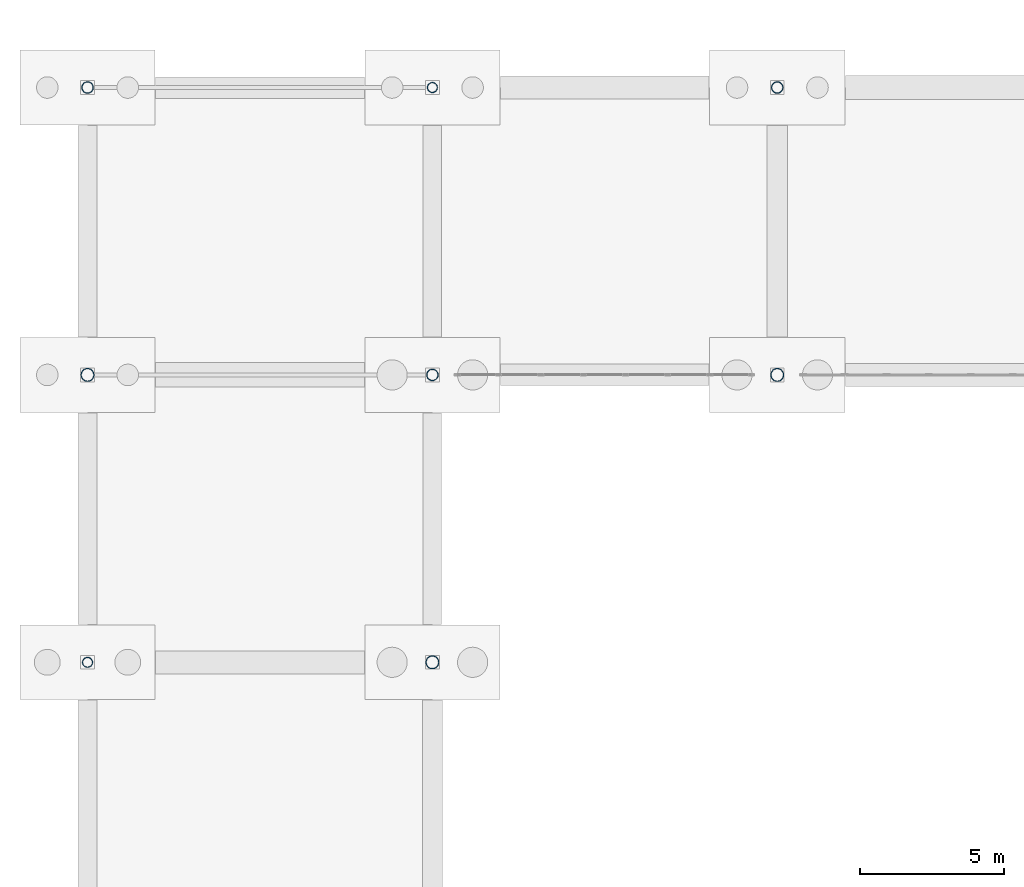
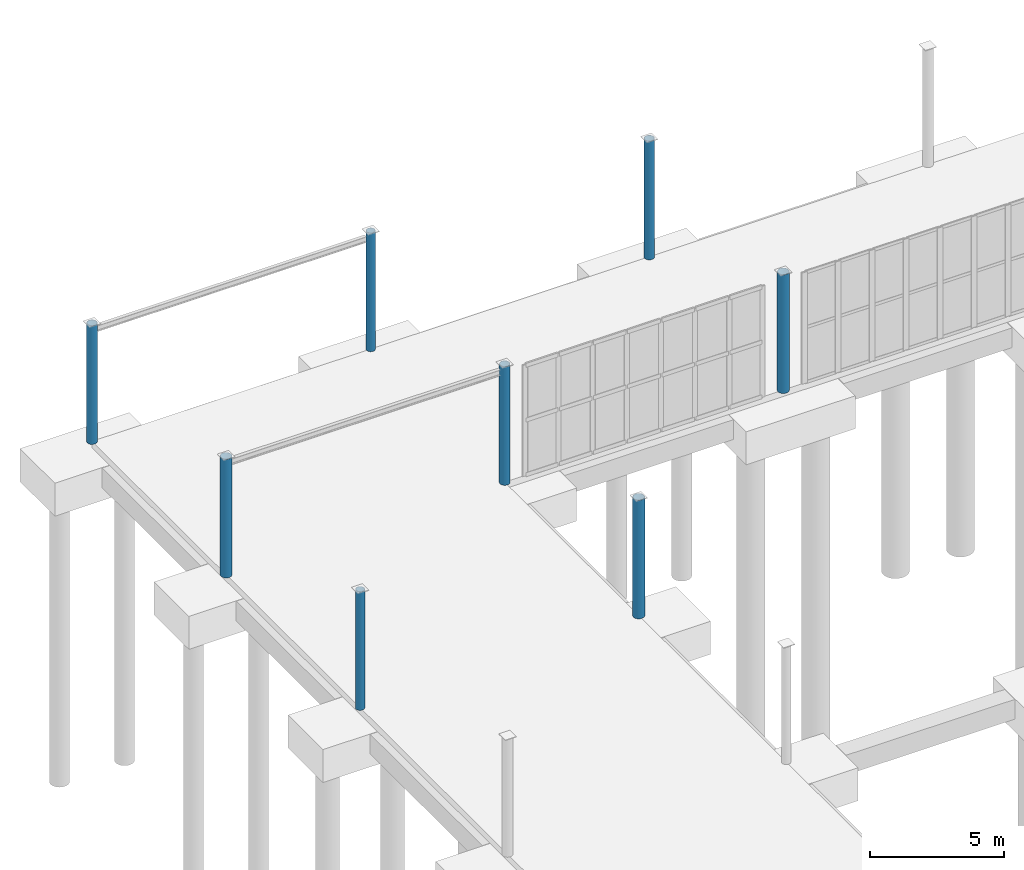
# One storey, part 18 of 70: 8 columns.
"""IFC4 building model written with IfcOpenShell, lengths in metres."""

from ifc_helpers import new_model, si_unit, direction, frame, origin, origin_2d, place, context, subcontext, project, spatial, hollow_circle, extrude, material, material_profile, profile_set, type_object, element, save


model = new_model("IFC4")

# Units and contexts
model_context = context("Model", 3, precision=1e-05, world=origin(), true_north=direction((0.0, 1.0)))
body_context = subcontext(model_context, "Body", "Model", "MODEL_VIEW")
ifc_project = project(units=[si_unit("LENGTHUNIT", "METRE"), si_unit("AREAUNIT", "SQUARE_METRE"), si_unit("VOLUMEUNIT", "CUBIC_METRE"), si_unit("PLANEANGLEUNIT", "RADIAN"), si_unit("MASSUNIT", "GRAM", prefix="KILO")], contexts=[model_context])

# Site, building, storey
site_placement = place(None, origin())
site = spatial("IfcSite", under=ifc_project, at=site_placement, CompositionType="ELEMENT")
building_placement = place(site_placement, origin())
building = spatial("IfcBuilding", under=site, at=building_placement, Name="Brinegate Civic Arena", CompositionType="ELEMENT")
storey_placement = place(building_placement, origin())
storey = spatial("IfcBuildingStorey", under=building, at=storey_placement, Name="L00", CompositionType="ELEMENT", Elevation=0.0)

# Columns
ifc_material = material(Name="Steel S355", Category="steel")
ifc_material_profile_1 = material_profile(ifc_material, hollow_circle(Radius=0.228515625, WallThickness=0.01611328125, at=origin_2d()), Name="CHS457X16")
ifc_profile_set_1 = profile_set([ifc_material_profile_1], Name="Steel S355")
column_type_1 = type_object("IfcColumnType", Name="COL-CP01-CHS457", PredefinedType="PILASTER", material=ifc_profile_set_1)
for number, where, z_axis, x_axis, name in (
    (1, (0.0, 114.0, 0.0), (0.0, 0.0, 1.0), (1.0, 0.0, 0.0), "Column COL-L00-1-M"),
    (2, (12.0, 104.0, 0.0), (0.0, 0.0, 1.0), (1.0, 0.0, 0.0), "Column COL-L00-2-L"),
    (3, (24.0, 114.0, 0.0), (0.0, 0.0, 1.0), (1.0, 0.0, 0.0), "Column COL-L00-3-M"),
):
    element("IfcColumn", number, at=place(storey_placement, frame(where, z_axis=z_axis, x_axis=x_axis)), inside=storey, type_object=column_type_1, Name=name, PredefinedType="PILASTER", context=body_context, shape_type="SweptSolid", body=[
        extrude(hollow_circle(Radius=0.228515625, WallThickness=0.01611328125, at=origin_2d()), origin(), (0.0, 0.0, 1.0), 5.39990234375),
    ])
ifc_material_profile_2 = material_profile(ifc_material, hollow_circle(Radius=0.202880859375, WallThickness=0.01611328125, at=origin_2d()), Name="CHS406X16")
ifc_profile_set_2 = profile_set([ifc_material_profile_2], Name="Steel S355")
column_type_2 = type_object("IfcColumnType", Name="COL-CP02-CHS406", PredefinedType="PILASTER", material=ifc_profile_set_2)
for number, where, z_axis, x_axis, name in (
    (4, (0.0, 124.0, 0.0), (0.0, 0.0, 1.0), (1.0, 0.0, 0.0), "Column COL-L00-1-N"),
    (5, (12.0, 114.0, 0.0), (0.0, 0.0, 1.0), (1.0, 0.0, 0.0), "Column COL-L00-2-M"),
    (6, (24.0, 124.0, 0.0), (0.0, 0.0, 1.0), (1.0, 0.0, 0.0), "Column COL-L00-3-N"),
):
    element("IfcColumn", number, at=place(storey_placement, frame(where, z_axis=z_axis, x_axis=x_axis)), inside=storey, type_object=column_type_2, Name=name, PredefinedType="PILASTER", context=body_context, shape_type="SweptSolid", body=[
        extrude(hollow_circle(Radius=0.202880859375, WallThickness=0.01611328125, at=origin_2d()), origin(), (0.0, 0.0, 1.0), 5.39990234375),
    ])
ifc_material_profile_3 = material_profile(ifc_material, hollow_circle(Radius=0.177978515625, WallThickness=0.013916015625, at=origin_2d()), Name="CHS356X14")
ifc_profile_set_3 = profile_set([ifc_material_profile_3], Name="Steel S355")
column_type_3 = type_object("IfcColumnType", Name="COL-CP03-CHS356", PredefinedType="PILASTER", material=ifc_profile_set_3)
for number, where, z_axis, x_axis, name in (
    (7, (0.0, 104.0, 0.0), (0.0, 0.0, 1.0), (1.0, 0.0, 0.0), "Column COL-L00-1-L"),
    (8, (12.0, 124.0, 0.0), (0.0, 0.0, 1.0), (1.0, 0.0, 0.0), "Column COL-L00-2-N"),
):
    element("IfcColumn", number, at=place(storey_placement, frame(where, z_axis=z_axis, x_axis=x_axis)), inside=storey, type_object=column_type_3, Name=name, PredefinedType="PILASTER", context=body_context, shape_type="SweptSolid", body=[
        extrude(hollow_circle(Radius=0.177978515625, WallThickness=0.013916015625, at=origin_2d()), origin(), (0.0, 0.0, 1.0), 5.39990234375),
    ])

save(model, "model.ifc")
